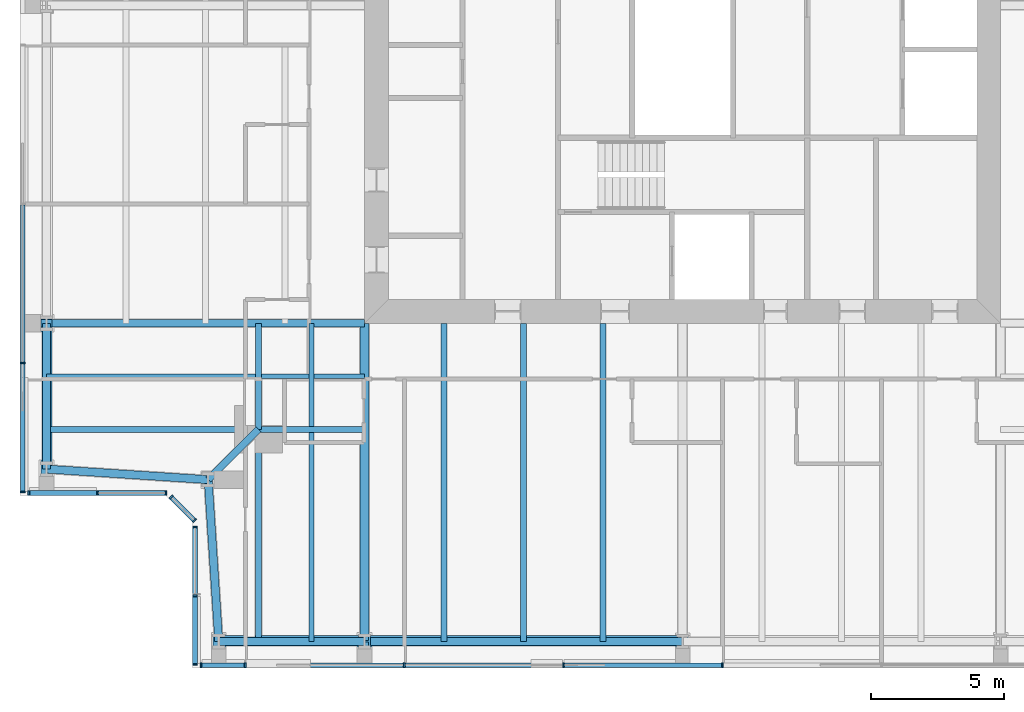
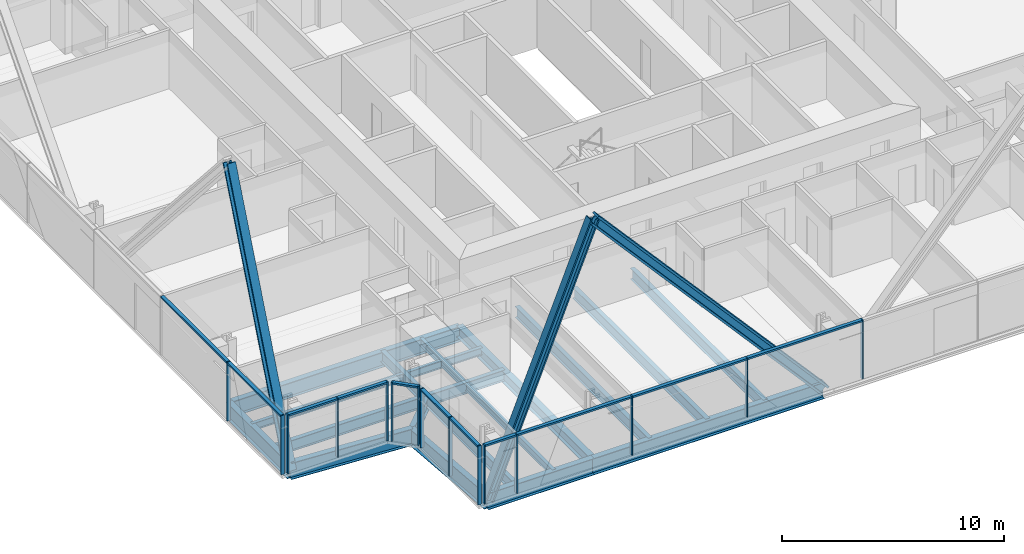
# One storey, part 2 of 20: 29 members, 20 beams, 5 elements without a shape of their own.
"""IFC4 building model written with IfcOpenShell, lengths in metres."""

from ifc_helpers import new_model, si_unit, direction, frame, origin, origin_2d, place, context, subcontext, project, spatial, rectangle, i_section, extrude, material, material_profile, profile_set, type_object, element, aggregate, save


model = new_model("IFC4")

# Units and contexts
model_context = context("Model", 3, precision=1e-05, world=origin(), true_north=direction((0.0, 1.0)))
body_context = subcontext(model_context, "Body", "Model", "MODEL_VIEW")
ifc_project = project(units=[si_unit("LENGTHUNIT", "METRE"), si_unit("AREAUNIT", "SQUARE_METRE"), si_unit("VOLUMEUNIT", "CUBIC_METRE"), si_unit("PLANEANGLEUNIT", "RADIAN"), si_unit("MASSUNIT", "GRAM", prefix="KILO")], contexts=[model_context])

# Site, building, storey
site_placement = place(None, origin())
site = spatial("IfcSite", under=ifc_project, at=site_placement, CompositionType="ELEMENT")
building_placement = place(site_placement, origin())
building = spatial("IfcBuilding", under=site, at=building_placement, Name="Fenwick Lantern Interchange", CompositionType="ELEMENT")
storey_placement = place(building_placement, frame((0.0, 0.0, 256.0)))
storey = spatial("IfcBuildingStorey", under=building, at=storey_placement, Name="L60", CompositionType="ELEMENT", Elevation=256.0)

# Beams
ifc_material_1 = material(Name="Steel ASTM A992 Grade 50", Category="steel")
ifc_material_profile_1 = material_profile(ifc_material_1, i_section(OverallWidth=0.3046875, OverallDepth=0.911865234375, WebThickness=0.015869140625, FlangeThickness=0.02392578125, at=origin_2d()), Name="W36X150")
ifc_profile_set_1 = profile_set([ifc_material_profile_1], Name="Steel ASTM A992 Grade 50")
beam_type_1 = type_object("IfcBeamType", Name="EDGE BEAM W36X150", PredefinedType="SPANDREL", material=ifc_profile_set_1)
beam_1_placement = place(storey_placement, frame((7.5, 1.0, -0.60595703125), z_axis=(1.0, 0.0, 0.0), x_axis=(0.0, 1.0, 0.0)))
element("IfcBeam", 1, at=beam_1_placement, inside=storey, type_object=beam_type_1, Name="L60/FR/S/EB1", PredefinedType="SPANDREL", context=body_context, shape_type="SweptSolid", body=[
    extrude(i_section(OverallWidth=0.3046875, OverallDepth=0.911865234375, WebThickness=0.015869140625, FlangeThickness=0.02392578125, at=origin_2d()), origin(), (0.0, 0.0, 1.0), 5.5),
])
beam_2_placement = place(storey_placement, frame((13.0, 1.0, -0.60595703125), z_axis=(1.0, 0.0, 0.0), x_axis=(0.0, 1.0, 0.0)))
element("IfcBeam", 2, at=beam_2_placement, inside=storey, type_object=beam_type_1, Name="L60/FR/S/EB2", PredefinedType="SPANDREL", context=body_context, shape_type="SweptSolid", body=[
    extrude(i_section(OverallWidth=0.3046875, OverallDepth=0.911865234375, WebThickness=0.015869140625, FlangeThickness=0.02392578125, at=origin_2d()), origin(), (0.0, 0.0, 1.0), 12.0),
])
beam_3_placement = place(storey_placement, frame((1.0, 13.0, -0.60595703125), z_axis=(0.0, -1.0, 0.0), x_axis=(1.0, 0.0, 0.0)))
element("IfcBeam", 3, at=beam_3_placement, inside=storey, type_object=beam_type_1, Name="L60/FR/W/EB4", PredefinedType="SPANDREL", context=body_context, shape_type="SweptSolid", body=[
    extrude(i_section(OverallWidth=0.3046875, OverallDepth=0.911865234375, WebThickness=0.015869140625, FlangeThickness=0.02392578125, at=origin_2d()), origin(), (0.0, 0.0, 1.0), 5.5),
])
for number, where, z_axis, x_axis, name in (
    (4, (1.0, 7.5, -0.60595703125), (0.997858060337, -0.065416293237, 0.0), (0.065416293237, 0.997858060337, 0.0), "L60/FR/W/EBR1"),
    (5, (7.10009765625, 7.10009765625, -0.60595703125), (0.065416293237, -0.997858060337, 0.0), (0.997858060337, 0.065416293237, 0.0), "L60/FR/W/EBR2"),
):
    element("IfcBeam", number, at=place(storey_placement, frame(where, z_axis=z_axis, x_axis=x_axis)), inside=storey, type_object=beam_type_1, Name=name, PredefinedType="SPANDREL", context=body_context, shape_type="SweptSolid", body=[
        extrude(i_section(OverallWidth=0.3046875, OverallDepth=0.911865234375, WebThickness=0.015869140625, FlangeThickness=0.02392578125, at=origin_2d()), origin(), (0.0, 0.0, 1.0), 6.11328125),
    ])

# Members
ifc_material_profile_2 = material_profile(ifc_material_1, i_section(OverallWidth=0.424072265625, OverallDepth=0.47509765625, WebThickness=0.0478515625, FlangeThickness=0.0771484375, at=origin_2d()), Name="W14X426")
ifc_profile_set_2 = profile_set([ifc_material_profile_2], Name="Steel ASTM A992 Grade 50")
member_type_1 = type_object("IfcMemberType", Name="FACADE BRACE W14X426", PredefinedType="BRACE", material=ifc_profile_set_2)
for number, where, z_axis, x_axis, name in (
    (6, (7.5, 1.0, -0.60595703125), (0.374911520251, 0.0, 0.927060597794), (0.0, 1.0, 0.0), "L60/FB/S/AE"),
    (7, (1.0, 7.5, -0.60595703125), (0.0, 0.374911520251, 0.927060597794), (-1.0, 0.0, 0.0), "L60/FB/W/BE"),
):
    element("IfcMember", number, at=place(storey_placement, frame(where, z_axis=z_axis, x_axis=x_axis)), inside=storey, type_object=member_type_1, Name=name, PredefinedType="BRACE", context=body_context, shape_type="SweptSolid", body=[
        extrude(i_section(OverallWidth=0.424072265625, OverallDepth=0.47509765625, WebThickness=0.0478515625, FlangeThickness=0.0771484375, at=origin_2d()), origin(), (0.0, 0.0, 1.0), 14.670166015625),
    ])
ifc_material_profile_3 = material_profile(ifc_material_1, i_section(OverallWidth=0.44189453125, OverallDepth=0.53076171875, WebThickness=0.06591796875, FlangeThickness=0.105712890625, at=origin_2d()), Name="W14X605")
ifc_profile_set_3 = profile_set([ifc_material_profile_3], Name="Steel ASTM A992 Grade 50")
member_type_2 = type_object("IfcMemberType", Name="FACADE BRACE W14X605", PredefinedType="BRACE", material=ifc_profile_set_3)
member_1_placement = place(storey_placement, frame((25.0, 1.0, -0.60595703125), z_axis=(-0.661618965899, 0.0, 0.749840212287), x_axis=(0.0, -1.0, 0.0)))
element("IfcMember", 8, at=member_1_placement, inside=storey, type_object=member_type_2, Name="L60/FB/S/A", PredefinedType="BRACE", context=body_context, shape_type="SweptSolid", body=[
    extrude(i_section(OverallWidth=0.44189453125, OverallDepth=0.53076171875, WebThickness=0.06591796875, FlangeThickness=0.105712890625, at=origin_2d()), origin(), (0.0, 0.0, 1.0), 18.13720703125),
])

# Beams
ifc_material_profile_4 = material_profile(ifc_material_1, i_section(OverallWidth=0.22900390625, OverallDepth=0.612060546875, WebThickness=0.011962890625, FlangeThickness=0.01953125, at=origin_2d()), Name="W24X84")
ifc_profile_set_4 = profile_set([ifc_material_profile_4], Name="Steel ASTM A992 Grade 50")
beam_type_2 = type_object("IfcBeamType", Name="FLOOR BEAM W24X84", PredefinedType="BEAM", material=ifc_profile_set_4)
for number, where, z_axis, x_axis, name in (
    (9, (16.0, 1.0, -0.4560546875), (0.0, 1.0, 0.0), (-1.0, 0.0, 0.0), "L60/FR/S/R02"),
    (10, (19.0, 1.0, -0.4560546875), (0.0, 1.0, 0.0), (-1.0, 0.0, 0.0), "L60/FR/S/R03"),
    (11, (22.0, 1.0, -0.4560546875), (0.0, 1.0, 0.0), (-1.0, 0.0, 0.0), "L60/FR/S/R04"),
):
    element("IfcBeam", number, at=place(storey_placement, frame(where, z_axis=z_axis, x_axis=x_axis)), inside=storey, type_object=beam_type_2, Name=name, PredefinedType="BEAM", context=body_context, shape_type="SweptSolid", body=[
        extrude(i_section(OverallWidth=0.22900390625, OverallDepth=0.612060546875, WebThickness=0.011962890625, FlangeThickness=0.01953125, at=origin_2d()), origin(), (0.0, 0.0, 1.0), 12.0),
    ])

# Curtain wall, members
ifc_material_2 = material(Name="Aluminium curtain wall frame", Category="aluminium")
curtain_wall_type = type_object("IfcCurtainWallType", Name="HOTEL CURTAIN WALL", PredefinedType="USERDEFINED", material=ifc_material_2)
curtain_wall_1_placement = place(storey_placement, origin())
curtain_wall_1 = element("IfcCurtainWall", 12, at=curtain_wall_1_placement, inside=storey, type_object=curtain_wall_type, Name="Hotel curtain wall 01", ObjectType="HOTEL CURTAIN WALL", PredefinedType="USERDEFINED")
ifc_material_3 = material(Name="Aluminium extrusion", Category="aluminium")
ifc_material_profile_5 = material_profile(ifc_material_3, rectangle(XDim=0.179931640625, YDim=0.06005859375, at=origin_2d()), Name="HOTEL CURTAIN WALL MULLION 60 X 180")
ifc_profile_set_5 = profile_set([ifc_material_profile_5], Name="Aluminium extrusion")
member_type_3 = type_object("IfcMemberType", Name="HOTEL CURTAIN WALL MULLION 60 X 180", PredefinedType="MULLION", material=ifc_profile_set_5)
member_2_placement = place(storey_placement, frame((6.830078125, 0.10009765625, 0.0), z_axis=(0.0, 0.0, 1.0), x_axis=(0.0, 1.0, 0.0)))
member_2 = element("IfcMember", 13, at=member_2_placement, type_object=member_type_3, Name="L60/CW/01/M00", PredefinedType="MULLION", context=body_context, shape_type="SweptSolid", body=[
    extrude(rectangle(XDim=0.179931640625, YDim=0.06005859375, at=origin_2d()), origin(), (0.0, 0.0, 1.0), 3.25),
])
member_3_placement = place(storey_placement, frame((8.5, 0.10009765625, 0.0), z_axis=(0.0, 0.0, 1.0), x_axis=(0.0, 1.0, 0.0)))
member_3 = element("IfcMember", 14, at=member_3_placement, type_object=member_type_3, Name="L60/CW/01/M01", PredefinedType="MULLION", context=body_context, shape_type="SweptSolid", body=[
    extrude(rectangle(XDim=0.179931640625, YDim=0.06005859375, at=origin_2d()), origin(), (0.0, 0.0, 1.0), 3.25),
])
member_4_placement = place(storey_placement, frame((14.5, 0.10009765625, 0.0), z_axis=(0.0, 0.0, 1.0), x_axis=(0.0, 1.0, 0.0)))
member_4 = element("IfcMember", 15, at=member_4_placement, type_object=member_type_3, Name="L60/CW/01/M02", PredefinedType="MULLION", context=body_context, shape_type="SweptSolid", body=[
    extrude(rectangle(XDim=0.179931640625, YDim=0.06005859375, at=origin_2d()), origin(), (0.0, 0.0, 1.0), 3.25),
])
member_5_placement = place(storey_placement, frame((20.5, 0.10009765625, 0.0), z_axis=(0.0, 0.0, 1.0), x_axis=(0.0, 1.0, 0.0)))
member_5 = element("IfcMember", 16, at=member_5_placement, type_object=member_type_3, Name="L60/CW/01/M03", PredefinedType="MULLION", context=body_context, shape_type="SweptSolid", body=[
    extrude(rectangle(XDim=0.179931640625, YDim=0.06005859375, at=origin_2d()), origin(), (0.0, 0.0, 1.0), 3.25),
])
member_6_placement = place(storey_placement, frame((26.5, 0.10009765625, 0.0), z_axis=(0.0, 0.0, 1.0), x_axis=(0.0, 1.0, 0.0)))
member_6 = element("IfcMember", 17, at=member_6_placement, type_object=member_type_3, Name="L60/CW/01/M04", PredefinedType="MULLION", context=body_context, shape_type="SweptSolid", body=[
    extrude(rectangle(XDim=0.179931640625, YDim=0.06005859375, at=origin_2d()), origin(), (0.0, 0.0, 1.0), 3.25),
])

curtain_wall_2_placement = place(storey_placement, origin())
curtain_wall_2 = element("IfcCurtainWall", 18, at=curtain_wall_2_placement, inside=storey, type_object=curtain_wall_type, Name="Hotel curtain wall 13", ObjectType="HOTEL CURTAIN WALL", PredefinedType="USERDEFINED")
member_7_placement = place(storey_placement, frame((0.10009765625, 11.5, 0.0), z_axis=(0.0, 0.0, 1.0), x_axis=(1.0, 0.0, 0.0)))
member_7 = element("IfcMember", 19, at=member_7_placement, type_object=member_type_3, Name="L60/CW/13/M06", PredefinedType="MULLION", context=body_context, shape_type="SweptSolid", body=[
    extrude(rectangle(XDim=0.179931640625, YDim=0.06005859375, at=origin_2d()), origin(), (0.0, 0.0, 1.0), 3.25),
])
member_8_placement = place(storey_placement, frame((0.10009765625, 6.6298828125, 0.0), z_axis=(0.0, 0.0, 1.0), x_axis=(1.0, 0.0, 0.0)))
member_8 = element("IfcMember", 20, at=member_8_placement, type_object=member_type_3, Name="L60/CW/13/M07", PredefinedType="MULLION", context=body_context, shape_type="SweptSolid", body=[
    extrude(rectangle(XDim=0.179931640625, YDim=0.06005859375, at=origin_2d()), origin(), (0.0, 0.0, 1.0), 3.25),
])

curtain_wall_3_placement = place(storey_placement, origin())
curtain_wall_3 = element("IfcCurtainWall", 21, at=curtain_wall_3_placement, inside=storey, type_object=curtain_wall_type, Name="Hotel curtain wall 14", ObjectType="HOTEL CURTAIN WALL", PredefinedType="USERDEFINED")
member_9_placement = place(storey_placement, frame((0.330078125, 6.60009765625, 0.0), z_axis=(0.0, 0.0, 1.0), x_axis=(0.0, 1.0, 0.0)))
member_9 = element("IfcMember", 22, at=member_9_placement, type_object=member_type_3, Name="L60/CW/14/M00", PredefinedType="MULLION", context=body_context, shape_type="SweptSolid", body=[
    extrude(rectangle(XDim=0.179931640625, YDim=0.06005859375, at=origin_2d()), origin(), (0.0, 0.0, 1.0), 3.25),
])
member_10_placement = place(storey_placement, frame((2.920654296875, 6.60009765625, 0.0), z_axis=(0.0, 0.0, 1.0), x_axis=(0.0, 1.0, 0.0)))
member_10 = element("IfcMember", 23, at=member_10_placement, type_object=member_type_3, Name="L60/CW/14/M01", PredefinedType="MULLION", context=body_context, shape_type="SweptSolid", body=[
    extrude(rectangle(XDim=0.179931640625, YDim=0.06005859375, at=origin_2d()), origin(), (0.0, 0.0, 1.0), 3.25),
])
member_11_placement = place(storey_placement, frame((5.511474609375, 6.60009765625, 0.0), z_axis=(0.0, 0.0, 1.0), x_axis=(0.0, 1.0, 0.0)))
member_11 = element("IfcMember", 24, at=member_11_placement, type_object=member_type_3, Name="L60/CW/14/M02", PredefinedType="MULLION", context=body_context, shape_type="SweptSolid", body=[
    extrude(rectangle(XDim=0.179931640625, YDim=0.06005859375, at=origin_2d()), origin(), (0.0, 0.0, 1.0), 3.25),
])

curtain_wall_4_placement = place(storey_placement, origin())
curtain_wall_4 = element("IfcCurtainWall", 25, at=curtain_wall_4_placement, inside=storey, type_object=curtain_wall_type, Name="Hotel curtain wall 15", ObjectType="HOTEL CURTAIN WALL", PredefinedType="USERDEFINED")
member_12_placement = place(storey_placement, frame((5.7041015625, 6.437255859375, 0.0), z_axis=(0.0, 0.0, 1.0), x_axis=(0.707106781187, 0.707106781187, 0.0)))
member_12 = element("IfcMember", 26, at=member_12_placement, type_object=member_type_3, Name="L60/CW/15/M00", PredefinedType="MULLION", context=body_context, shape_type="SweptSolid", body=[
    extrude(rectangle(XDim=0.179931640625, YDim=0.06005859375, at=origin_2d()), origin(), (0.0, 0.0, 1.0), 3.25),
])
member_13_placement = place(storey_placement, frame((6.578857421875, 5.562744140625, 0.0), z_axis=(0.0, 0.0, 1.0), x_axis=(0.707106781187, 0.707106781187, 0.0)))
member_13 = element("IfcMember", 27, at=member_13_placement, type_object=member_type_3, Name="L60/CW/15/M01", PredefinedType="MULLION", context=body_context, shape_type="SweptSolid", body=[
    extrude(rectangle(XDim=0.179931640625, YDim=0.06005859375, at=origin_2d()), origin(), (0.0, 0.0, 1.0), 3.25),
])

curtain_wall_5_placement = place(storey_placement, origin())
curtain_wall_5 = element("IfcCurtainWall", 28, at=curtain_wall_5_placement, inside=storey, type_object=curtain_wall_type, Name="Hotel curtain wall 16", ObjectType="HOTEL CURTAIN WALL", PredefinedType="USERDEFINED")
member_14_placement = place(storey_placement, frame((6.60009765625, 5.3115234375, 0.0), z_axis=(0.0, 0.0, 1.0), x_axis=(1.0, 0.0, 0.0)))
member_14 = element("IfcMember", 29, at=member_14_placement, type_object=member_type_3, Name="L60/CW/16/M00", PredefinedType="MULLION", context=body_context, shape_type="SweptSolid", body=[
    extrude(rectangle(XDim=0.179931640625, YDim=0.06005859375, at=origin_2d()), origin(), (0.0, 0.0, 1.0), 3.25),
])
member_15_placement = place(storey_placement, frame((6.60009765625, 2.720703125, 0.0), z_axis=(0.0, 0.0, 1.0), x_axis=(1.0, 0.0, 0.0)))
member_15 = element("IfcMember", 30, at=member_15_placement, type_object=member_type_3, Name="L60/CW/16/M01", PredefinedType="MULLION", context=body_context, shape_type="SweptSolid", body=[
    extrude(rectangle(XDim=0.179931640625, YDim=0.06005859375, at=origin_2d()), origin(), (0.0, 0.0, 1.0), 3.25),
])
member_16_placement = place(storey_placement, frame((6.60009765625, 0.1298828125, 0.0), z_axis=(0.0, 0.0, 1.0), x_axis=(1.0, 0.0, 0.0)))
member_16 = element("IfcMember", 31, at=member_16_placement, type_object=member_type_3, Name="L60/CW/16/M02", PredefinedType="MULLION", context=body_context, shape_type="SweptSolid", body=[
    extrude(rectangle(XDim=0.179931640625, YDim=0.06005859375, at=origin_2d()), origin(), (0.0, 0.0, 1.0), 3.25),
])

# Member
ifc_material_profile_6 = material_profile(ifc_material_3, rectangle(XDim=0.179931640625, YDim=0.10009765625, at=origin_2d()), Name="HOTEL CURTAIN WALL TRANSOM 100 X 180")
ifc_profile_set_6 = profile_set([ifc_material_profile_6], Name="Aluminium extrusion")
member_type_4 = type_object("IfcMemberType", Name="HOTEL CURTAIN WALL TRANSOM 100 X 180", PredefinedType="MULLION", material=ifc_profile_set_6)
member_17_placement = place(storey_placement, frame((6.860107421875, 0.10009765625, 3.199951171875), z_axis=(1.0, 0.0, 0.0), x_axis=(0.0, 1.0, 0.0)))
member_17 = element("IfcMember", 32, at=member_17_placement, type_object=member_type_4, Name="L60/CW/01/T00", PredefinedType="MULLION", context=body_context, shape_type="SweptSolid", body=[
    extrude(rectangle(XDim=0.179931640625, YDim=0.10009765625, at=origin_2d()), origin(), (0.0, 0.0, 1.0), 1.60986328125),
])

member_18_placement = place(storey_placement, frame((8.530029296875, 0.10009765625, 3.199951171875), z_axis=(1.0, 0.0, 0.0), x_axis=(0.0, 1.0, 0.0)))
member_18 = element("IfcMember", 33, at=member_18_placement, type_object=member_type_4, Name="L60/CW/01/T01", PredefinedType="MULLION", context=body_context, shape_type="SweptSolid", body=[
    extrude(rectangle(XDim=0.179931640625, YDim=0.10009765625, at=origin_2d()), origin(), (0.0, 0.0, 1.0), 5.93994140625),
])

member_19_placement = place(storey_placement, frame((14.530029296875, 0.10009765625, 3.199951171875), z_axis=(1.0, 0.0, 0.0), x_axis=(0.0, 1.0, 0.0)))
member_19 = element("IfcMember", 34, at=member_19_placement, type_object=member_type_4, Name="L60/CW/01/T02", PredefinedType="MULLION", context=body_context, shape_type="SweptSolid", body=[
    extrude(rectangle(XDim=0.179931640625, YDim=0.10009765625, at=origin_2d()), origin(), (0.0, 0.0, 1.0), 5.93994140625),
])

member_20_placement = place(storey_placement, frame((20.530029296875, 0.10009765625, 3.199951171875), z_axis=(1.0, 0.0, 0.0), x_axis=(0.0, 1.0, 0.0)))
member_20 = element("IfcMember", 35, at=member_20_placement, type_object=member_type_4, Name="L60/CW/01/T03", PredefinedType="MULLION", context=body_context, shape_type="SweptSolid", body=[
    extrude(rectangle(XDim=0.179931640625, YDim=0.10009765625, at=origin_2d()), origin(), (0.0, 0.0, 1.0), 5.93994140625),
])

aggregate(curtain_wall_1, [member_2, member_3, member_4, member_5, member_6, member_17, member_18, member_19, member_20])

member_21_placement = place(storey_placement, frame((0.10009765625, 17.469970703125, 3.199951171875), z_axis=(0.0, -1.0, 0.0), x_axis=(1.0, 0.0, 0.0)))
member_21 = element("IfcMember", 36, at=member_21_placement, type_object=member_type_4, Name="L60/CW/13/T05", PredefinedType="MULLION", context=body_context, shape_type="SweptSolid", body=[
    extrude(rectangle(XDim=0.179931640625, YDim=0.10009765625, at=origin_2d()), origin(), (0.0, 0.0, 1.0), 5.93994140625),
])

member_22_placement = place(storey_placement, frame((0.10009765625, 11.469970703125, 3.199951171875), z_axis=(0.0, -1.0, 0.0), x_axis=(1.0, 0.0, 0.0)))
member_22 = element("IfcMember", 37, at=member_22_placement, type_object=member_type_4, Name="L60/CW/13/T06", PredefinedType="MULLION", context=body_context, shape_type="SweptSolid", body=[
    extrude(rectangle(XDim=0.179931640625, YDim=0.10009765625, at=origin_2d()), origin(), (0.0, 0.0, 1.0), 4.81005859375),
])

aggregate(curtain_wall_2, [member_7, member_8, member_21, member_22])

member_23_placement = place(storey_placement, frame((0.360107421875, 6.60009765625, 3.199951171875), z_axis=(1.0, 0.0, 0.0), x_axis=(0.0, 1.0, 0.0)))
member_23 = element("IfcMember", 38, at=member_23_placement, type_object=member_type_4, Name="L60/CW/14/T00", PredefinedType="MULLION", context=body_context, shape_type="SweptSolid", body=[
    extrude(rectangle(XDim=0.179931640625, YDim=0.10009765625, at=origin_2d()), origin(), (0.0, 0.0, 1.0), 2.530517578125),
])

member_24_placement = place(storey_placement, frame((2.95068359375, 6.60009765625, 3.199951171875), z_axis=(1.0, 0.0, 0.0), x_axis=(0.0, 1.0, 0.0)))
member_24 = element("IfcMember", 39, at=member_24_placement, type_object=member_type_4, Name="L60/CW/14/T01", PredefinedType="MULLION", context=body_context, shape_type="SweptSolid", body=[
    extrude(rectangle(XDim=0.179931640625, YDim=0.10009765625, at=origin_2d()), origin(), (0.0, 0.0, 1.0), 2.53076171875),
])

aggregate(curtain_wall_3, [member_9, member_10, member_11, member_23, member_24])

member_25_placement = place(storey_placement, frame((5.725341796875, 6.416259765625, 3.199951171875), z_axis=(0.707003077033, -0.707210470133, 0.0), x_axis=(0.707210470133, 0.707003077033, 0.0)))
member_25 = element("IfcMember", 40, at=member_25_placement, type_object=member_type_4, Name="L60/CW/15/T00", PredefinedType="MULLION", context=body_context, shape_type="SweptSolid", body=[
    extrude(rectangle(XDim=0.179931640625, YDim=0.10009765625, at=origin_2d()), origin(), (0.0, 0.0, 1.0), 1.17724609375),
])

aggregate(curtain_wall_4, [member_12, member_13, member_25])

member_26_placement = place(storey_placement, frame((6.60009765625, 5.281494140625, 3.199951171875), z_axis=(0.0, -1.0, 0.0), x_axis=(1.0, 0.0, 0.0)))
member_26 = element("IfcMember", 41, at=member_26_placement, type_object=member_type_4, Name="L60/CW/16/T00", PredefinedType="MULLION", context=body_context, shape_type="SweptSolid", body=[
    extrude(rectangle(XDim=0.179931640625, YDim=0.10009765625, at=origin_2d()), origin(), (0.0, 0.0, 1.0), 2.53076171875),
])

member_27_placement = place(storey_placement, frame((6.60009765625, 2.690673828125, 3.199951171875), z_axis=(0.0, -1.0, 0.0), x_axis=(1.0, 0.0, 0.0)))
member_27 = element("IfcMember", 42, at=member_27_placement, type_object=member_type_4, Name="L60/CW/16/T01", PredefinedType="MULLION", context=body_context, shape_type="SweptSolid", body=[
    extrude(rectangle(XDim=0.179931640625, YDim=0.10009765625, at=origin_2d()), origin(), (0.0, 0.0, 1.0), 2.53076171875),
])

aggregate(curtain_wall_5, [member_14, member_15, member_16, member_26, member_27])

# Beams
ifc_material_profile_7 = material_profile(ifc_material_1, i_section(OverallWidth=0.177734375, OverallDepth=0.406494140625, WebThickness=0.0078125, FlangeThickness=0.012939453125, at=origin_2d()), Name="W16X40")
ifc_profile_set_7 = profile_set([ifc_material_profile_7], Name="Steel ASTM A992 Grade 50")
beam_type_3 = type_object("IfcBeamType", Name="INFILL BEAM W16X40", PredefinedType="JOIST", material=ifc_profile_set_7)
beam_4_placement = place(storey_placement, frame((11.0, 1.0, -0.353271484375), z_axis=(0.0, 1.0, 0.0), x_axis=(-1.0, 0.0, 0.0)))
element("IfcBeam", 43, at=beam_4_placement, inside=storey, type_object=beam_type_3, Name="L60/FR/S/J1", PredefinedType="JOIST", context=body_context, shape_type="SweptSolid", body=[
    extrude(i_section(OverallWidth=0.177734375, OverallDepth=0.406494140625, WebThickness=0.0078125, FlangeThickness=0.012939453125, at=origin_2d()), origin(), (0.0, 0.0, 1.0), 7.885498046875),
])
beam_5_placement = place(storey_placement, frame((11.0, 9.114501953125, -0.353271484375), z_axis=(0.0, 1.0, 0.0), x_axis=(-1.0, 0.0, 0.0)))
element("IfcBeam", 44, at=beam_5_placement, inside=storey, type_object=beam_type_3, Name="L60/FR/S/J2", PredefinedType="JOIST", context=body_context, shape_type="SweptSolid", body=[
    extrude(i_section(OverallWidth=0.177734375, OverallDepth=0.406494140625, WebThickness=0.0078125, FlangeThickness=0.012939453125, at=origin_2d()), origin(), (0.0, 0.0, 1.0), 3.885498046875),
])
beam_6_placement = place(storey_placement, frame((1.0, 11.0, -0.353271484375), z_axis=(1.0, 0.0, 0.0), x_axis=(0.0, 1.0, 0.0)))
element("IfcBeam", 45, at=beam_6_placement, inside=storey, type_object=beam_type_3, Name="L60/FR/S/J3", PredefinedType="JOIST", context=body_context, shape_type="SweptSolid", body=[
    extrude(i_section(OverallWidth=0.177734375, OverallDepth=0.406494140625, WebThickness=0.0078125, FlangeThickness=0.012939453125, at=origin_2d()), origin(), (0.0, 0.0, 1.0), 7.885498046875),
])
beam_7_placement = place(storey_placement, frame((9.114501953125, 11.0, -0.353271484375), z_axis=(1.0, 0.0, 0.0), x_axis=(0.0, 1.0, 0.0)))
element("IfcBeam", 46, at=beam_7_placement, inside=storey, type_object=beam_type_3, Name="L60/FR/S/J4", PredefinedType="JOIST", context=body_context, shape_type="SweptSolid", body=[
    extrude(i_section(OverallWidth=0.177734375, OverallDepth=0.406494140625, WebThickness=0.0078125, FlangeThickness=0.012939453125, at=origin_2d()), origin(), (0.0, 0.0, 1.0), 1.796630859375),
])
beam_8_placement = place(storey_placement, frame((11.0888671875, 11.0, -0.353271484375), z_axis=(1.0, 0.0, 0.0), x_axis=(0.0, 1.0, 0.0)))
element("IfcBeam", 47, at=beam_8_placement, inside=storey, type_object=beam_type_3, Name="L60/FR/S/J5", PredefinedType="JOIST", context=body_context, shape_type="SweptSolid", body=[
    extrude(i_section(OverallWidth=0.177734375, OverallDepth=0.406494140625, WebThickness=0.0078125, FlangeThickness=0.012939453125, at=origin_2d()), origin(), (0.0, 0.0, 1.0), 1.9111328125),
])
ifc_material_profile_8 = material_profile(ifc_material_1, i_section(OverallWidth=0.22900390625, OverallDepth=0.612060546875, WebThickness=0.011962890625, FlangeThickness=0.01953125, at=origin_2d()), Name="W24X84")
ifc_profile_set_8 = profile_set([ifc_material_profile_8], Name="Steel ASTM A992 Grade 50")
beam_type_4 = type_object("IfcBeamType", Name="MEGA COLUMN BEAM W24X84", PredefinedType="BEAM", material=ifc_profile_set_8)
for number, where, z_axis, x_axis, name in (
    (48, (9.0, 9.0, -0.4560546875), (0.0, -1.0, 0.0), (1.0, 0.0, 0.0), "L60/FR/S/MB1"),
    (49, (9.0, 9.0, -0.4560546875), (-1.0, 0.0, 0.0), (0.0, -1.0, 0.0), "L60/FR/S/MB2"),
):
    element("IfcBeam", number, at=place(storey_placement, frame(where, z_axis=z_axis, x_axis=x_axis)), inside=storey, type_object=beam_type_4, Name=name, PredefinedType="BEAM", context=body_context, shape_type="SweptSolid", body=[
        extrude(i_section(OverallWidth=0.22900390625, OverallDepth=0.612060546875, WebThickness=0.011962890625, FlangeThickness=0.01953125, at=origin_2d()), origin(), (0.0, 0.0, 1.0), 8.0),
    ])
for number, where, z_axis, x_axis, name in (
    (50, (9.0, 9.0, -0.4560546875), (1.0, 0.0, 0.0), (0.0, 1.0, 0.0), "L60/FR/S/MB3"),
    (51, (9.0, 9.0, -0.4560546875), (0.0, 1.0, 0.0), (-1.0, 0.0, 0.0), "L60/FR/S/MB4"),
):
    element("IfcBeam", number, at=place(storey_placement, frame(where, z_axis=z_axis, x_axis=x_axis)), inside=storey, type_object=beam_type_4, Name=name, PredefinedType="BEAM", context=body_context, shape_type="SweptSolid", body=[
        extrude(i_section(OverallWidth=0.22900390625, OverallDepth=0.612060546875, WebThickness=0.011962890625, FlangeThickness=0.01953125, at=origin_2d()), origin(), (0.0, 0.0, 1.0), 4.0),
    ])
ifc_material_profile_9 = material_profile(ifc_material_1, i_section(OverallWidth=0.32763671875, OverallDepth=0.622314453125, WebThickness=0.015380859375, FlangeThickness=0.0244140625, at=origin_2d()), Name="W24X131")
ifc_profile_set_9 = profile_set([ifc_material_profile_9], Name="Steel ASTM A992 Grade 50")
beam_type_5 = type_object("IfcBeamType", Name="MOMENT-CONNECTED GIRDER W24X131", PredefinedType="BEAM", material=ifc_profile_set_9)
beam_9_placement = place(storey_placement, frame((13.0, 1.0, -0.461181640625), z_axis=(0.0, 1.0, 0.0), x_axis=(-1.0, 0.0, 0.0)))
element("IfcBeam", 52, at=beam_9_placement, inside=storey, type_object=beam_type_5, Name="L60/FR/S/R01", PredefinedType="BEAM", context=body_context, shape_type="SweptSolid", body=[
    extrude(i_section(OverallWidth=0.32763671875, OverallDepth=0.622314453125, WebThickness=0.015380859375, FlangeThickness=0.0244140625, at=origin_2d()), origin(), (0.0, 0.0, 1.0), 12.0),
])
ifc_material_profile_10 = material_profile(ifc_material_1, i_section(OverallWidth=0.2919921875, OverallDepth=0.845703125, WebThickness=0.015380859375, FlangeThickness=0.0244140625, at=origin_2d()), Name="W33X141")
ifc_profile_set_10 = profile_set([ifc_material_profile_10], Name="Steel ASTM A992 Grade 50")
beam_type_6 = type_object("IfcBeamType", Name="MOMENT-CONNECTED GIRDER W33X141", PredefinedType="BEAM", material=ifc_profile_set_10)
beam_10_placement = place(storey_placement, frame((1.0, 13.0, -0.572998046875), z_axis=(1.0, 0.0, 0.0), x_axis=(0.0, 1.0, 0.0)))
element("IfcBeam", 53, at=beam_10_placement, inside=storey, type_object=beam_type_6, Name="L60/FR/W/R03", PredefinedType="BEAM", context=body_context, shape_type="SweptSolid", body=[
    extrude(i_section(OverallWidth=0.2919921875, OverallDepth=0.845703125, WebThickness=0.015380859375, FlangeThickness=0.0244140625, at=origin_2d()), origin(), (0.0, 0.0, 1.0), 12.0),
])
ifc_material_profile_11 = material_profile(ifc_material_1, i_section(OverallWidth=0.2666015625, OverallDepth=0.7568359375, WebThickness=0.013916015625, FlangeThickness=0.019287109375, at=origin_2d()), Name="W30X108")
ifc_profile_set_11 = profile_set([ifc_material_profile_11], Name="Steel ASTM A992 Grade 50")
beam_type_7 = type_object("IfcBeamType", Name="NOTCH BEAM W30X108", PredefinedType="BEAM", material=ifc_profile_set_11)
beam_11_placement = place(storey_placement, frame((9.0, 9.0, -0.528564453125), z_axis=(-0.707106781187, -0.707106781187, 0.0), x_axis=(0.707106781187, -0.707106781187, 0.0)))
element("IfcBeam", 54, at=beam_11_placement, inside=storey, type_object=beam_type_7, Name="L60/FR/S/TG", PredefinedType="BEAM", context=body_context, shape_type="SweptSolid", body=[
    extrude(i_section(OverallWidth=0.2666015625, OverallDepth=0.7568359375, WebThickness=0.013916015625, FlangeThickness=0.019287109375, at=origin_2d()), origin(), (0.0, 0.0, 1.0), 2.686767578125),
])

save(model, "model.ifc")
